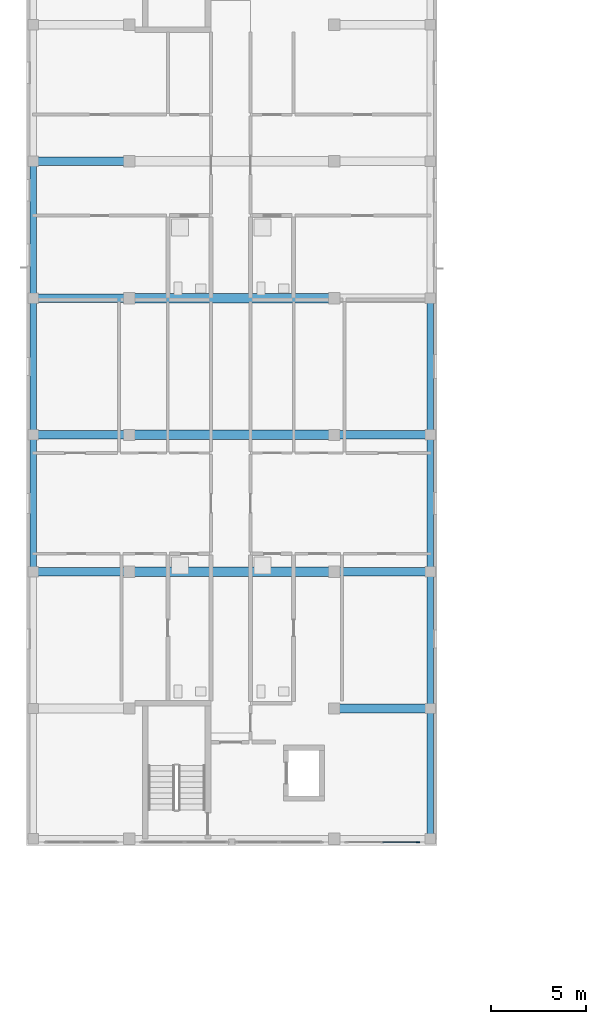
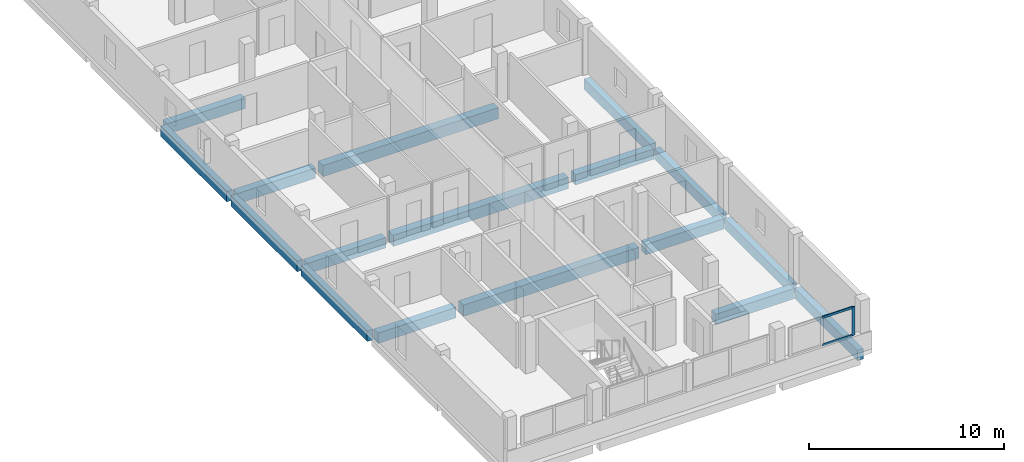
# One storey, part 5 of 38: 17 beams, 3 members, 1 element without a shape of its own.
"""IFC4 building model written with IfcOpenShell, lengths in metres."""

from ifc_helpers import new_model, si_unit, derived_unit, direction, frame, origin, origin_2d, place, context, subcontext, project, spatial, rectangle, extrude, material, layer, layer_set, material_profile, profile_set, type_object, element, aggregate, save


model = new_model("IFC4")

# Units and contexts
model_context = context("Model", 3, precision=1e-05, world=origin(), true_north=direction((0.0, 1.0)))
body_context = subcontext(model_context, "Body", "Model", "MODEL_VIEW")
ifc_project = project(units=[si_unit("LENGTHUNIT", "METRE"), si_unit("AREAUNIT", "SQUARE_METRE"), si_unit("VOLUMEUNIT", "CUBIC_METRE"), si_unit("PLANEANGLEUNIT", "RADIAN"), si_unit("MASSUNIT", "GRAM", prefix="KILO"), derived_unit("THERMALTRANSMITTANCEUNIT", [(si_unit("MASSUNIT", "GRAM", prefix="KILO"), 1), (si_unit("TIMEUNIT", "SECOND"), -3), (si_unit("THERMODYNAMICTEMPERATUREUNIT", "KELVIN"), -1)])], contexts=[model_context])

# Site, building, storey
site_placement = place(None, origin())
site = spatial("IfcSite", under=ifc_project, at=site_placement, CompositionType="ELEMENT")
building_placement = place(site_placement, origin())
building = spatial("IfcBuilding", under=site, at=building_placement, Name="Ochrekiln Boulevard Commons", CompositionType="ELEMENT")
storey_placement = place(building_placement, frame((0.0, 0.0, 24.675048828125)))
storey = spatial("IfcBuildingStorey", under=building, at=storey_placement, Name="L07", CompositionType="ELEMENT", Elevation=24.675048828125)

# Beams
ifc_material_1 = material(Name="Concrete C35/45", Category="concrete")
ifc_material_profile_1 = material_profile(ifc_material_1, rectangle(XDim=0.449951171875, YDim=0.64990234375, at=origin_2d()), Name="RC-BM-450x650")
ifc_profile_set_1 = profile_set([ifc_material_profile_1], Name="Concrete C35/45")
beam_type_1 = type_object("IfcBeamType", Name="BM-RC-450x650", PredefinedType="BEAM", material=ifc_profile_set_1)
beam_1_placement = place(storey_placement, frame((16.409912109375, 75.60009765625, -0.5849609375), z_axis=(1.0, 0.0, 0.0), x_axis=(0.0, 1.0, 0.0)))
element("IfcBeam", 1, at=beam_1_placement, inside=storey, type_object=beam_type_1, Name="Block A L07 Beam B-4565 X5", PredefinedType="BEAM", context=body_context, shape_type="SweptSolid", body=[
    extrude(rectangle(XDim=0.449951171875, YDim=0.64990234375, at=origin_2d()), origin(), (0.0, 0.0, 1.0), 4.630126953125),
])
beam_2_placement = place(storey_placement, frame((0.56005859375, 82.800048828125, -0.5849609375), z_axis=(1.0, 0.0, 0.0), x_axis=(0.0, 1.0, 0.0)))
element("IfcBeam", 2, at=beam_2_placement, inside=storey, type_object=beam_type_1, Name="Block A L07 Beam B-4565 X6", PredefinedType="BEAM", context=body_context, shape_type="SweptSolid", body=[
    extrude(rectangle(XDim=0.449951171875, YDim=0.64990234375, at=origin_2d()), origin(), (0.0, 0.0, 1.0), 4.6298828125),
])
beam_3_placement = place(storey_placement, frame((16.409912109375, 82.800048828125, -0.5849609375), z_axis=(1.0, 0.0, 0.0), x_axis=(0.0, 1.0, 0.0)))
element("IfcBeam", 3, at=beam_3_placement, inside=storey, type_object=beam_type_1, Name="Block A L07 Beam B-4565 X8", PredefinedType="BEAM", context=body_context, shape_type="SweptSolid", body=[
    extrude(rectangle(XDim=0.449951171875, YDim=0.64990234375, at=origin_2d()), origin(), (0.0, 0.0, 1.0), 4.630126953125),
])
beam_4_placement = place(storey_placement, frame((0.56005859375, 90.0, -0.5849609375), z_axis=(1.0, 0.0, 0.0), x_axis=(0.0, 1.0, 0.0)))
element("IfcBeam", 4, at=beam_4_placement, inside=storey, type_object=beam_type_1, Name="Block A L07 Beam B-4565 X9", PredefinedType="BEAM", context=body_context, shape_type="SweptSolid", body=[
    extrude(rectangle(XDim=0.449951171875, YDim=0.64990234375, at=origin_2d()), origin(), (0.0, 0.0, 1.0), 4.6298828125),
])
beam_5_placement = place(storey_placement, frame((16.409912109375, 90.0, -0.5849609375), z_axis=(1.0, 0.0, 0.0), x_axis=(0.0, 1.0, 0.0)))
element("IfcBeam", 5, at=beam_5_placement, inside=storey, type_object=beam_type_1, Name="Block A L07 Beam B-4565 X11", PredefinedType="BEAM", context=body_context, shape_type="SweptSolid", body=[
    extrude(rectangle(XDim=0.449951171875, YDim=0.64990234375, at=origin_2d()), origin(), (0.0, 0.0, 1.0), 4.630126953125),
])
for number, where, z_axis, x_axis, name in (
    (6, (0.56005859375, 97.199951171875, -0.5849609375), (1.0, 0.0, 0.0), (0.0, 1.0, 0.0), "Block A L07 Beam B-4565 X12"),
    (7, (0.56005859375, 104.39990234375, -0.5849609375), (1.0, 0.0, 0.0), (0.0, 1.0, 0.0), "Block A L07 Beam B-4565 X15"),
):
    element("IfcBeam", number, at=place(storey_placement, frame(where, z_axis=z_axis, x_axis=x_axis)), inside=storey, type_object=beam_type_1, Name=name, PredefinedType="BEAM", context=body_context, shape_type="SweptSolid", body=[
        extrude(rectangle(XDim=0.449951171875, YDim=0.64990234375, at=origin_2d()), origin(), (0.0, 0.0, 1.0), 4.6298828125),
    ])
ifc_material_2 = material(Name="Concrete C40/50", Category="concrete")
ifc_material_profile_2 = material_profile(ifc_material_2, rectangle(XDim=0.5, YDim=0.699951171875, at=origin_2d()), Name="RC-BM-500x700")
ifc_profile_set_2 = profile_set([ifc_material_profile_2], Name="Concrete C40/50")
beam_type_2 = type_object("IfcBeamType", Name="BM-RC-500x700", PredefinedType="BEAM", material=ifc_profile_set_2)
for number, where, z_axis, x_axis, name in (
    (8, (5.610107421875, 82.800048828125, -0.610107421875), (1.0, 0.0, 0.0), (0.0, 1.0, 0.0), "Block A L07 Beam B-5070 X7"),
    (9, (5.610107421875, 90.0, -0.610107421875), (1.0, 0.0, 0.0), (0.0, 1.0, 0.0), "Block A L07 Beam B-5070 X10"),
    (10, (5.610107421875, 97.199951171875, -0.610107421875), (1.0, 0.0, 0.0), (0.0, 1.0, 0.0), "Block A L07 Beam B-5070 X13"),
):
    element("IfcBeam", number, at=place(storey_placement, frame(where, z_axis=z_axis, x_axis=x_axis)), inside=storey, type_object=beam_type_2, Name=name, PredefinedType="BEAM", context=body_context, shape_type="SweptSolid", body=[
        extrude(rectangle(XDim=0.5, YDim=0.699951171875, at=origin_2d()), origin(), (0.0, 0.0, 1.0), 10.3798828125),
    ])

# Curtain wall, members
ifc_material_3 = material(Name="Bronze-anodized extruded aluminium 6063-T6", Category="aluminium")
ifc_layer = layer(ifc_material_3, 0.172119140625)
ifc_layer_set = layer_set([ifc_layer], Name="Bronze-anodized extruded aluminium 6063-T6")
curtain_wall_type = type_object("IfcCurtainWallType", Name="CW-GABLE-A", PredefinedType="USERDEFINED", material=ifc_layer_set)
curtain_wall_placement = place(storey_placement, origin())
curtain_wall = element("IfcCurtainWall", 11, at=curtain_wall_placement, inside=storey, type_object=curtain_wall_type, Name="Block A L07 Courtyard Glazed Gable Curtain Wall 4", ObjectType="GLAZED CURTAIN WALL", PredefinedType="USERDEFINED")
ifc_material_profile_3 = material_profile(ifc_material_3, rectangle(XDim=0.06494140625, YDim=0.179931640625, at=origin_2d()), Name="ALU-MUL-65x180")
ifc_profile_set_3 = profile_set([ifc_material_profile_3], Name="Bronze-anodized extruded aluminium 6063-T6")
member_type_1 = type_object("IfcMemberType", Name="CWM-65x180", PredefinedType="MULLION", material=ifc_profile_set_3)
member_1_placement = place(storey_placement, frame((20.597412109375, 68.56005859375, 1.10986328125), z_axis=(0.0, 0.0, 1.0), x_axis=(0.0, 1.0, 0.0)))
member_1 = element("IfcMember", 12, at=member_1_placement, type_object=member_type_1, Name="CW-01 mullion 3", PredefinedType="MULLION", context=body_context, shape_type="SweptSolid", body=[
    extrude(rectangle(XDim=0.06494140625, YDim=0.179931640625, at=origin_2d()), origin(), (0.0, 0.0, 1.0), 1.7900390625),
])
ifc_material_profile_4 = material_profile(ifc_material_3, rectangle(XDim=0.06494140625, YDim=0.139892578125, at=origin_2d()), Name="ALU-TRN-65x140")
ifc_profile_set_4 = profile_set([ifc_material_profile_4], Name="Bronze-anodized extruded aluminium 6063-T6")
member_type_2 = type_object("IfcMemberType", Name="CWT-65x140", PredefinedType="USERDEFINED", material=ifc_profile_set_4)
member_2_placement = place(storey_placement, frame((18.757568359375, 68.56005859375, 1.142333984375), z_axis=(1.0, 0.0, 0.0), x_axis=(0.0, 1.0, 0.0)))
member_2 = element("IfcMember", 13, at=member_2_placement, type_object=member_type_2, Name="CW-01 transom 2.1", ObjectType="TRANSOM", PredefinedType="USERDEFINED", context=body_context, shape_type="SweptSolid", body=[
    extrude(rectangle(XDim=0.06494140625, YDim=0.139892578125, at=origin_2d()), origin(), (0.0, 0.0, 1.0), 1.807373046875),
])
member_3_placement = place(storey_placement, frame((18.757568359375, 68.56005859375, 2.867431640625), z_axis=(1.0, 0.0, 0.0), x_axis=(0.0, 1.0, 0.0)))
member_3 = element("IfcMember", 14, at=member_3_placement, type_object=member_type_2, Name="CW-01 transom 2.2", ObjectType="TRANSOM", PredefinedType="USERDEFINED", context=body_context, shape_type="SweptSolid", body=[
    extrude(rectangle(XDim=0.06494140625, YDim=0.139892578125, at=origin_2d()), origin(), (0.0, 0.0, 1.0), 1.807373046875),
])
aggregate(curtain_wall, [member_1, member_2, member_3])

# Beams
ifc_material_profile_5 = material_profile(ifc_material_2, rectangle(XDim=0.35009765625, YDim=0.64990234375, at=origin_2d()), Name="RC-SPN-350x650")
ifc_profile_set_5 = profile_set([ifc_material_profile_5], Name="Concrete C40/50")
beam_type_3 = type_object("IfcBeamType", Name="SPN-RC-350x650", PredefinedType="SPANDREL", material=ifc_profile_set_5)
for number, where, z_axis, x_axis, name in (
    (15, (0.35009765625, 83.010009765625, -0.5849609375), (0.0, 1.0, 0.0), (-1.0, 0.0, 0.0), "Block A L07 Beam SP-3565 Y25"),
    (16, (0.35009765625, 90.2099609375, -0.5849609375), (0.0, 1.0, 0.0), (-1.0, 0.0, 0.0), "Block A L07 Beam SP-3565 Y26"),
    (17, (0.35009765625, 97.409912109375, -0.5849609375), (0.0, 1.0, 0.0), (-1.0, 0.0, 0.0), "Block A L07 Beam SP-3565 Y27"),
):
    element("IfcBeam", number, at=place(storey_placement, frame(where, z_axis=z_axis, x_axis=x_axis)), inside=storey, type_object=beam_type_3, Name=name, PredefinedType="SPANDREL", context=body_context, shape_type="SweptSolid", body=[
        extrude(rectangle(XDim=0.35009765625, YDim=0.64990234375, at=origin_2d()), origin(), (0.0, 0.0, 1.0), 6.780029296875),
    ])
beam_6_placement = place(storey_placement, frame((21.25, 68.9599609375, -0.5849609375), z_axis=(0.0, 1.0, 0.0), x_axis=(-1.0, 0.0, 0.0)))
element("IfcBeam", 18, at=beam_6_placement, inside=storey, type_object=beam_type_3, Name="Block A L07 Beam SP-3565 Y30", PredefinedType="SPANDREL", context=body_context, shape_type="SweptSolid", body=[
    extrude(rectangle(XDim=0.35009765625, YDim=0.64990234375, at=origin_2d()), origin(), (0.0, 0.0, 1.0), 6.429931640625),
])
for number, where, z_axis, x_axis, name in (
    (19, (21.25, 75.81005859375, -0.5849609375), (0.0, 1.0, 0.0), (-1.0, 0.0, 0.0), "Block A L07 Beam SP-3565 Y31"),
    (20, (21.25, 83.010009765625, -0.5849609375), (0.0, 1.0, 0.0), (-1.0, 0.0, 0.0), "Block A L07 Beam SP-3565 Y32"),
    (21, (21.25, 90.2099609375, -0.5849609375), (0.0, 1.0, 0.0), (-1.0, 0.0, 0.0), "Block A L07 Beam SP-3565 Y33"),
):
    element("IfcBeam", number, at=place(storey_placement, frame(where, z_axis=z_axis, x_axis=x_axis)), inside=storey, type_object=beam_type_3, Name=name, PredefinedType="SPANDREL", context=body_context, shape_type="SweptSolid", body=[
        extrude(rectangle(XDim=0.35009765625, YDim=0.64990234375, at=origin_2d()), origin(), (0.0, 0.0, 1.0), 6.780029296875),
    ])

save(model, "model.ifc")
